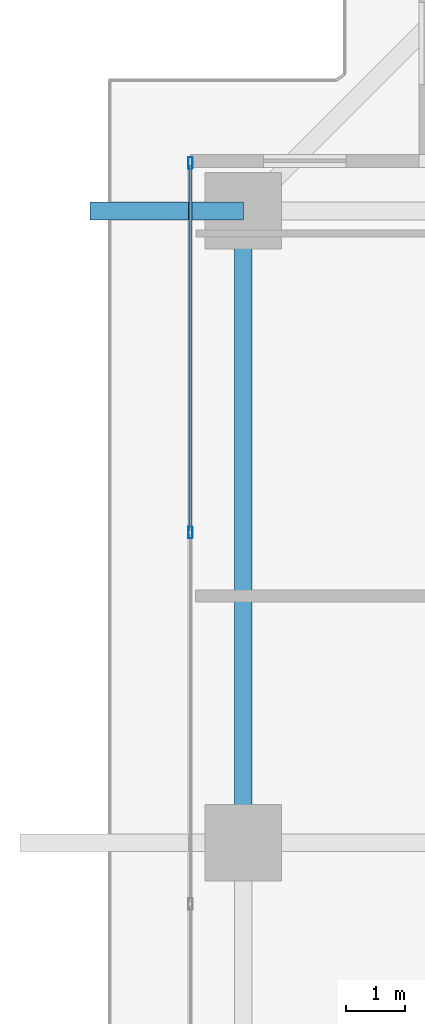
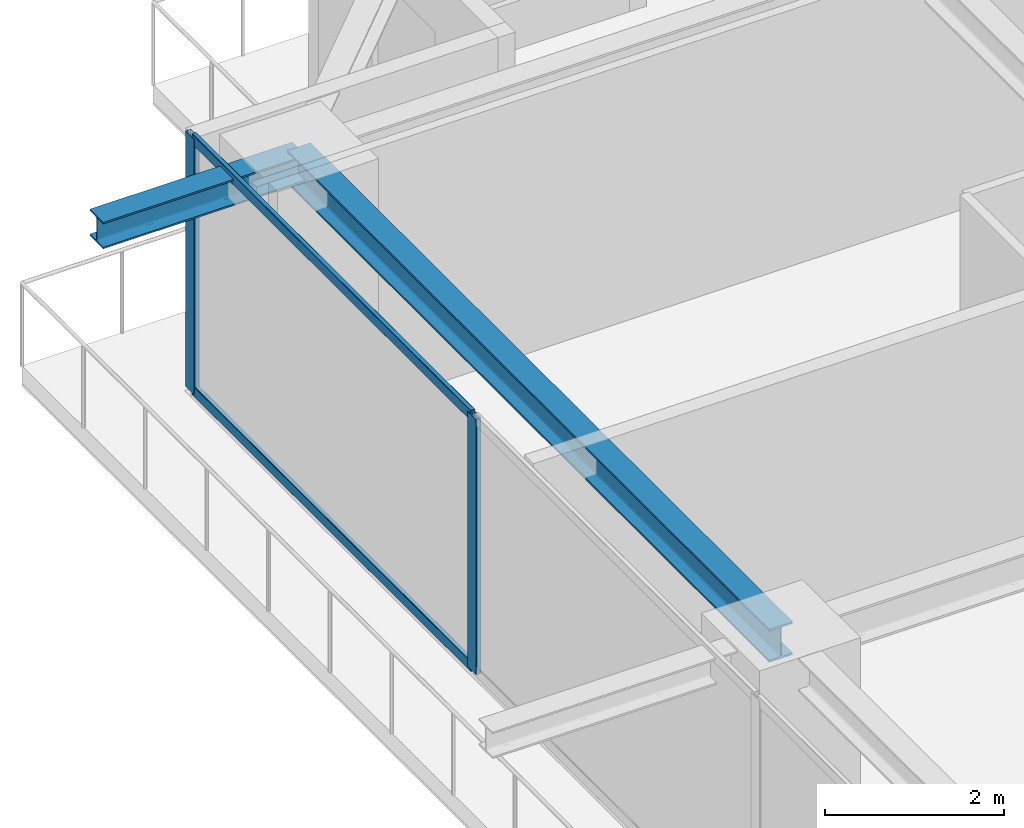
# One storey, part 14 of 33: 4 members, 2 beams, 1 element without a shape of its own.
"""IFC4 building model written with IfcOpenShell, lengths in metres."""

import ifcopenshell
import ifcopenshell.guid

model = None  # the IFC model being written
_history = None  # IfcOwnerHistory: only IFC2X3 demands one
_inside = {}  # id of a spatial element -> (the spatial element, [elements in it])
_under = {}  # id of a project, library or spatial element -> (it, [spatial elements below it])
_declared = {}  # id of a project -> (the project, [libraries it declares])
_typed = {}  # id of a type object -> (the type object, [elements of that type])
_made_of = {}  # id of a material, layer set ... -> (it, [elements and type objects made of it])


def new_model(schema):
    """Start an empty IFC model of exactly this schema.

    Asked for "IFC4X3", IfcOpenShell would pick the latest addendum, in which some entities
    have other attributes; the version numbers below select the first issue.
    IFC2X3 requires an IfcOwnerHistory on every rooted entity: one is made here for all.
    """
    global model, _history
    if schema == "IFC4X3":
        model = ifcopenshell.file(schema_version=(4, 3, 0, 0))
    else:
        model = ifcopenshell.file(schema=schema)
    _inside.clear()
    _under.clear()
    _declared.clear()
    _typed.clear()
    _made_of.clear()
    _history = None
    if model.schema == "IFC2X3":
        org = make("IfcOrganization", Name="unknown")
        user = make(
            "IfcPersonAndOrganization",
            ThePerson=make("IfcPerson", FamilyName="unknown"),
            TheOrganization=org,
        )
        app = make(
            "IfcApplication",
            ApplicationDeveloper=org,
            Version="unknown",
            ApplicationFullName="unknown",
            ApplicationIdentifier="unknown",
        )
        _history = make(
            "IfcOwnerHistory",
            OwningUser=user,
            OwningApplication=app,
            ChangeAction="ADDED",
            CreationDate=0,
        )
    return model


def make(cls, **values):
    """One entity of the class cls with the attributes given. An attribute that is None is left unset."""
    return model.create_entity(
        cls, **{name: value for name, value in values.items() if value is not None}
    )


def rooted(cls, **values):
    """An entity with a GlobalId (a new one), such as an element, a storey or a relation."""
    return make(cls, GlobalId=ifcopenshell.guid.new(), OwnerHistory=_history, **values)


def si_unit(unit_type, name, prefix=None):
    """IfcSIUnit, for example si_unit("LENGTHUNIT", "METRE", prefix="MILLI")."""
    return make("IfcSIUnit", UnitType=unit_type, Prefix=prefix, Name=name)


def assignment(units):
    """IfcUnitAssignment: the units of a project."""
    return None if units is None else make("IfcUnitAssignment", Units=units)


def point(xyz):
    """IfcCartesianPoint."""
    return None if xyz is None else make("IfcCartesianPoint", Coordinates=xyz)


def direction(xyz):
    """IfcDirection."""
    return None if xyz is None else make("IfcDirection", DirectionRatios=xyz)


def frame(location, z_axis=None, x_axis=None):
    """IfcAxis2Placement3D, a coordinate frame: its origin and axes. An axis left out is left unset."""
    return make(
        "IfcAxis2Placement3D",
        Location=point(location),
        Axis=direction(z_axis),
        RefDirection=direction(x_axis),
    )


def frame_2d(location, x_axis=None):
    """IfcAxis2Placement2D, a coordinate frame in the plane: its origin and x axis."""
    return make(
        "IfcAxis2Placement2D", Location=point(location), RefDirection=direction(x_axis)
    )


def origin():
    """The frame at (0, 0, 0) with its axes left unset."""
    return frame((0.0, 0.0, 0.0))


def origin_2d():
    """The frame at (0, 0) in the plane with its x axis left unset."""
    return frame_2d((0.0, 0.0))


def place(relative_to, where):
    """IfcLocalPlacement: puts the frame where relative to a parent placement (None: the world)."""
    return make(
        "IfcLocalPlacement", PlacementRelTo=relative_to, RelativePlacement=where
    )


def context(
    kind, dimensions, precision=None, world=None, true_north=None, identifier=None
):
    """IfcGeometricRepresentationContext, for example the 3D "Model" context."""
    return make(
        "IfcGeometricRepresentationContext",
        ContextIdentifier=identifier,
        ContextType=kind,
        CoordinateSpaceDimension=dimensions,
        Precision=precision,
        WorldCoordinateSystem=world,
        TrueNorth=true_north,
    )


def subcontext(parent, identifier, kind, view, scale=None):
    """IfcGeometricRepresentationSubContext, for example "Body" below "Model"."""
    return make(
        "IfcGeometricRepresentationSubContext",
        ContextIdentifier=identifier,
        ContextType=kind,
        ParentContext=parent,
        TargetScale=scale,
        TargetView=view,
    )


def project(units=None, contexts=None):
    """IfcProject with its units and contexts."""
    return rooted(
        "IfcProject",
        Name="project",
        RepresentationContexts=contexts,
        UnitsInContext=assignment(units),
    )


def spatial(cls, under=None, at=None, **own):
    """A site, building, storey or space (cls), placed at a placement, below another one or the project."""
    s = rooted(cls, ObjectPlacement=at, **own)
    if under is not None:
        _under.setdefault(under.id(), (under, []))[1].append(s)
    return s


def profile(cls, at=None, kind="AREA", **sizes):
    """A parametric profile (cls). Its sizes go by their IFC names, for example OverallWidth=200.0."""
    return make(cls, ProfileType=kind, Position=at, **sizes)


def hollow_rectangle(**sizes):
    """IfcRectangleHollowProfileDef."""
    return profile("IfcRectangleHollowProfileDef", **sizes)


def i_section(**sizes):
    """IfcIShapeProfileDef."""
    return profile("IfcIShapeProfileDef", **sizes)


def extrude(swept, where, along, depth):
    """IfcExtrudedAreaSolid: the profile swept, set in the frame where, extruded along a direction by depth."""
    return make(
        "IfcExtrudedAreaSolid",
        SweptArea=swept,
        Position=where,
        ExtrudedDirection=direction(along),
        Depth=depth,
    )


def shape(context_of_items, identifier, shape_type, items):
    """IfcShapeRepresentation: the items that make up one representation, for example the "Body"."""
    return make(
        "IfcShapeRepresentation",
        ContextOfItems=context_of_items,
        RepresentationIdentifier=identifier,
        RepresentationType=shape_type,
        Items=items,
    )


def source(mapping_origin, context_of_items, identifier, shape_type, items):
    """IfcRepresentationMap: a shape defined once, which mapped items show again and again."""
    return make(
        "IfcRepresentationMap",
        MappingOrigin=mapping_origin,
        MappedRepresentation=shape(context_of_items, identifier, shape_type, items),
    )


def transform(
    local_origin,
    x_axis=None,
    y_axis=None,
    z_axis=None,
    scale=None,
    scale2=None,
    scale3=None,
    uniform=True,
):
    """IfcCartesianTransformationOperator3D, or its non-uniform kind. x_axis, y_axis, z_axis: its Axis1, 2, 3."""
    if uniform:
        return make(
            "IfcCartesianTransformationOperator3D",
            Axis1=direction(x_axis),
            Axis2=direction(y_axis),
            LocalOrigin=point(local_origin),
            Scale=scale,
            Axis3=direction(z_axis),
        )
    return make(
        "IfcCartesianTransformationOperator3DnonUniform",
        Axis1=direction(x_axis),
        Axis2=direction(y_axis),
        LocalOrigin=point(local_origin),
        Scale=scale,
        Axis3=direction(z_axis),
        Scale2=scale2,
        Scale3=scale3,
    )


def mapped(mapping_source, mapping_target):
    """IfcMappedItem: shows the shape of a source again, moved by a transform."""
    return make(
        "IfcMappedItem", MappingSource=mapping_source, MappingTarget=mapping_target
    )


def material(Name=None, Category=None):
    """IfcMaterial."""
    return make("IfcMaterial", Name=Name, Category=Category)


def layer(
    of_material, thickness, ventilated=None, Name=None, Category=None, Priority=None
):
    """IfcMaterialLayer: one layer of a wall or slab, of a material (None: an air gap)."""
    return make(
        "IfcMaterialLayer",
        Material=of_material,
        LayerThickness=thickness,
        IsVentilated=ventilated,
        Name=Name,
        Category=Category,
        Priority=Priority,
    )


def layer_set(layers, Name=None):
    """IfcMaterialLayerSet."""
    return make("IfcMaterialLayerSet", MaterialLayers=layers, LayerSetName=Name)


def material_profile(
    of_material, cross_section, Name=None, Category=None, Priority=None
):
    """IfcMaterialProfile: a cross section and its material."""
    return make(
        "IfcMaterialProfile",
        Name=Name,
        Material=of_material,
        Profile=cross_section,
        Priority=Priority,
        Category=Category,
    )


def profile_set(profiles, Name=None, composite=None):
    """IfcMaterialProfileSet."""
    return make(
        "IfcMaterialProfileSet",
        Name=Name,
        MaterialProfiles=profiles,
        CompositeProfile=composite,
    )


def made_of(thing, what):
    """Note that an element or type object is made of a material, layer set ...; save() writes the relation."""
    if what is not None:
        _made_of.setdefault(what.id(), (what, []))[1].append(thing)
    return thing


def type_object(cls, material=None, **own):
    """A type object (cls), such as IfcWallType, which elements share."""
    return made_of(rooted(cls, **own), material)


def element(
    cls,
    number,
    at=None,
    inside=None,
    cuts=None,
    type_object=None,
    material=None,
    context=None,
    identifier="Body",
    shape_type=None,
    held_by="IfcProductDefinitionShape",
    body=None,
    shapes=None,
    **own,
):
    """One element of the class cls, such as IfcWall. Its Tag is "e" and its number.

    at: its placement. inside: the storey or other place that contains it. cuts: it is an
    opening in that element (IfcRelVoidsElement). A single representation is given by context,
    identifier, shape_type and body (its items); several are given by shapes. held_by: the class
    of the entity that holds the representations. save() writes the other relations.
    """
    e = rooted(cls, Tag="e%d" % number, ObjectPlacement=at, **own)
    if body is not None:
        shapes = [shape(context, identifier, shape_type, body)]
    if shapes is not None:
        e.Representation = make(held_by, Representations=shapes)
    if inside is not None:
        _inside.setdefault(inside.id(), (inside, []))[1].append(e)
    if cuts is not None:
        rooted(
            "IfcRelVoidsElement", RelatingBuildingElement=cuts, RelatedOpeningElement=e
        )
    if type_object is not None:
        _typed.setdefault(type_object.id(), (type_object, []))[1].append(e)
    return made_of(e, material)


def aggregate(whole, parts):
    """IfcRelAggregates: a whole, such as a stair, and the parts it consists of."""
    return rooted("IfcRelAggregates", RelatingObject=whole, RelatedObjects=parts)


def save(model, path):
    """Write the relations noted so far, then the file.

    IfcRelAggregates (storeys below a building ...), IfcRelContainedInSpatialStructure (elements
    in a storey), IfcRelDefinesByType, IfcRelAssociatesMaterial and IfcRelDeclares: one each for
    every whole, place, type object, material and project.
    """
    for whole, parts in _under.values():
        aggregate(whole, parts)
    for where, things in _inside.values():
        rooted(
            "IfcRelContainedInSpatialStructure",
            RelatedElements=things,
            RelatingStructure=where,
        )
    for kind, things in _typed.values():
        rooted("IfcRelDefinesByType", RelatedObjects=things, RelatingType=kind)
    for what, things in _made_of.values():
        rooted("IfcRelAssociatesMaterial", RelatedObjects=things, RelatingMaterial=what)
    for by, libraries in _declared.values():
        rooted("IfcRelDeclares", RelatingContext=by, RelatedDefinitions=libraries)
    model.write(path)


model = new_model("IFC4")

# Units and contexts
model_context = context("Model", 3, precision=1e-05, world=origin(), true_north=direction((0.0, 1.0)))
body_context = subcontext(model_context, "Body", "Model", "MODEL_VIEW")
ifc_project = project(units=[si_unit("LENGTHUNIT", "METRE"), si_unit("AREAUNIT", "SQUARE_METRE"), si_unit("VOLUMEUNIT", "CUBIC_METRE"), si_unit("PLANEANGLEUNIT", "RADIAN"), si_unit("MASSUNIT", "GRAM", prefix="KILO")], contexts=[model_context])

# Site, building, storey
site_placement = place(None, origin())
site = spatial("IfcSite", under=ifc_project, at=site_placement, CompositionType="ELEMENT")
building_placement = place(site_placement, origin())
building = spatial("IfcBuilding", under=site, at=building_placement, Name="Serunith Strait Residences", CompositionType="ELEMENT")
storey_placement = place(building_placement, frame((0.0, 0.0, 150.14990234375)))
storey = spatial("IfcBuildingStorey", under=building, at=storey_placement, Name="L37", CompositionType="ELEMENT", Elevation=150.14990234375)

# Beams
ifc_material_1 = material(Name="Steel S355J2", Category="steel")
ifc_material_profile_1 = material_profile(ifc_material_1, i_section(OverallWidth=0.300048828125, OverallDepth=0.449951171875, WebThickness=0.013916015625, FlangeThickness=0.02587890625, FilletRadius=0.027099609375, at=origin_2d()), Name="HEB 450")
ifc_profile_set_1 = profile_set([ifc_material_profile_1], Name="Steel S355J2")
beam_type_1 = type_object("IfcBeamType", Name="BM-HEB450", PredefinedType="BEAM", material=ifc_profile_set_1)
shared_shape_1 = source(origin(), body_context, "Body", "SweptSolid", [
    extrude(i_section(OverallWidth=0.300048828125, OverallDepth=0.449951171875, WebThickness=0.013916015625, FlangeThickness=0.02587890625, FilletRadius=0.027099609375, at=origin_2d()), origin(), (0.0, 0.0, 1.0), 10.75),
])
beam_1_placement = place(storey_placement, frame((8.699951171875, 40.14990234375, 3.26220703125), z_axis=(0.0, -1.0, 0.0), x_axis=(1.0, 0.0, 0.0)))
element("IfcBeam", 1, at=beam_1_placement, inside=storey, type_object=beam_type_1, Name="L37 Perimeter Ring Beam 13", PredefinedType="BEAM", context=body_context, shape_type="MappedRepresentation", body=[
    mapped(shared_shape_1, transform((0.0, 0.0, 0.0), scale=1.0)),
])
ifc_material_profile_2 = material_profile(ifc_material_1, i_section(OverallWidth=0.300048828125, OverallDepth=0.360107421875, WebThickness=0.012451171875, FlangeThickness=0.0224609375, FilletRadius=0.027099609375, at=origin_2d()), Name="HEB 360")
ifc_profile_set_2 = profile_set([ifc_material_profile_2], Name="Steel S355J2")
beam_type_2 = type_object("IfcBeamType", Name="BM-HEB360", PredefinedType="BEAM", material=ifc_profile_set_2)
shared_shape_2 = source(origin(), body_context, "Body", "SweptSolid", [
    extrude(i_section(OverallWidth=0.300048828125, OverallDepth=0.360107421875, WebThickness=0.012451171875, FlangeThickness=0.0224609375, FilletRadius=0.027099609375, at=origin_2d()), origin(), (0.0, 0.0, 1.0), 2.60595703125),
])
beam_2_placement = place(storey_placement, frame((8.699951171875, 40.14990234375, 3.277099609375), z_axis=(-1.0, 0.0, 0.0), x_axis=(0.0, -1.0, 0.0)))
element("IfcBeam", 2, at=beam_2_placement, inside=storey, type_object=beam_type_2, Name="L38 Cantilevered Balcony Rib TC-W4", PredefinedType="BEAM", context=body_context, shape_type="MappedRepresentation", body=[
    mapped(shared_shape_2, transform((0.0, 0.0, 0.0), scale=1.0)),
])

# Curtain wall, members
ifc_material_2 = material(Name="Pale-Champagne Anodised Aluminium", Category="aluminium")
ifc_layer = layer(ifc_material_2, 0.199951171875, Name="Pale-Champagne Anodised Aluminium")
ifc_layer_set = layer_set([ifc_layer], Name="Pale-Champagne Anodised Aluminium")
curtain_wall_type = type_object("IfcCurtainWallType", Name="CW-SYS2", PredefinedType="NOTDEFINED", material=ifc_layer_set)
curtain_wall_placement = place(storey_placement, origin())
curtain_wall = element("IfcCurtainWall", 3, at=curtain_wall_placement, inside=storey, type_object=curtain_wall_type, Name="L37 W Unitised Fritted Curtain Wall", PredefinedType="NOTDEFINED")
ifc_material_profile_3 = material_profile(ifc_material_2, hollow_rectangle(XDim=0.070068359375, YDim=0.199951171875, WallThickness=0.00390625, InnerFilletRadius=0.006103515625, OuterFilletRadius=0.010009765625, at=origin_2d()), Name="ALU 200x70x4")
ifc_profile_set_3 = profile_set([ifc_material_profile_3], Name="Pale-Champagne Anodised Aluminium")
member_type_1 = type_object("IfcMemberType", Name="CW-SYS2-MULL", PredefinedType="MULLION", material=ifc_profile_set_3)
shared_shape_3 = source(origin(), body_context, "Body", "SweptSolid", [
    extrude(hollow_rectangle(XDim=0.070068359375, YDim=0.199951171875, WallThickness=0.00390625, InnerFilletRadius=0.006103515625, OuterFilletRadius=0.010009765625, at=origin_2d()), origin(), (0.0, 0.0, 1.0), 3.47509765625),
])
member_1_placement = place(storey_placement, frame((7.800048828125, 40.965087890625, 0.0), z_axis=(0.0, 0.0, 1.0), x_axis=(1.0, 0.0, 0.0)))
member_1 = element("IfcMember", 4, at=member_1_placement, type_object=member_type_1, Name="CW-2 mullion 1", PredefinedType="MULLION", context=body_context, shape_type="MappedRepresentation", body=[
    mapped(shared_shape_3, transform((0.0, 0.0, 0.0), scale=1.0)),
])
member_2_placement = place(storey_placement, frame((7.800048828125, 34.679931640625, 0.0), z_axis=(0.0, 0.0, 1.0), x_axis=(1.0, 0.0, 0.0)))
member_2 = element("IfcMember", 5, at=member_2_placement, type_object=member_type_1, Name="CW-2 mullion 2", PredefinedType="MULLION", context=body_context, shape_type="MappedRepresentation", body=[
    mapped(shared_shape_3, transform((0.0, 0.0, 0.0), scale=1.0)),
])
ifc_material_profile_4 = material_profile(ifc_material_2, hollow_rectangle(XDim=0.06005859375, YDim=0.139892578125, WallThickness=0.00341796875, InnerFilletRadius=0.00537109375, OuterFilletRadius=0.0087890625, at=origin_2d()), Name="ALU 140x60x3.5")
ifc_profile_set_4 = profile_set([ifc_material_profile_4], Name="Pale-Champagne Anodised Aluminium")
member_type_2 = type_object("IfcMemberType", Name="CW-SYS2-TRAN", PredefinedType="USERDEFINED", material=ifc_profile_set_4)
shared_shape_4 = source(origin(), body_context, "Body", "SweptSolid", [
    extrude(hollow_rectangle(XDim=0.06005859375, YDim=0.139892578125, WallThickness=0.00341796875, InnerFilletRadius=0.00537109375, OuterFilletRadius=0.0087890625, at=origin_2d()), origin(), (0.0, 0.0, 1.0), 6.21484375),
])
member_3_placement = place(storey_placement, frame((7.800048828125, 40.929931640625, 0.030029296875), z_axis=(0.0, -1.0, 0.0), x_axis=(1.0, 0.0, 0.0)))
member_3 = element("IfcMember", 6, at=member_3_placement, type_object=member_type_2, Name="CW-2 transom 1.1", ObjectType="TRANSOM", PredefinedType="USERDEFINED", context=body_context, shape_type="MappedRepresentation", body=[
    mapped(shared_shape_4, transform((0.0, 0.0, 0.0), scale=1.0)),
])
member_4_placement = place(storey_placement, frame((7.800048828125, 40.929931640625, 3.445068359375), z_axis=(0.0, -1.0, 0.0), x_axis=(1.0, 0.0, 0.0)))
member_4 = element("IfcMember", 7, at=member_4_placement, type_object=member_type_2, Name="CW-2 transom 1.2", ObjectType="TRANSOM", PredefinedType="USERDEFINED", context=body_context, shape_type="MappedRepresentation", body=[
    mapped(shared_shape_4, transform((0.0, 0.0, 0.0), scale=1.0)),
])
aggregate(curtain_wall, [member_1, member_2, member_3, member_4])

save(model, "model.ifc")
